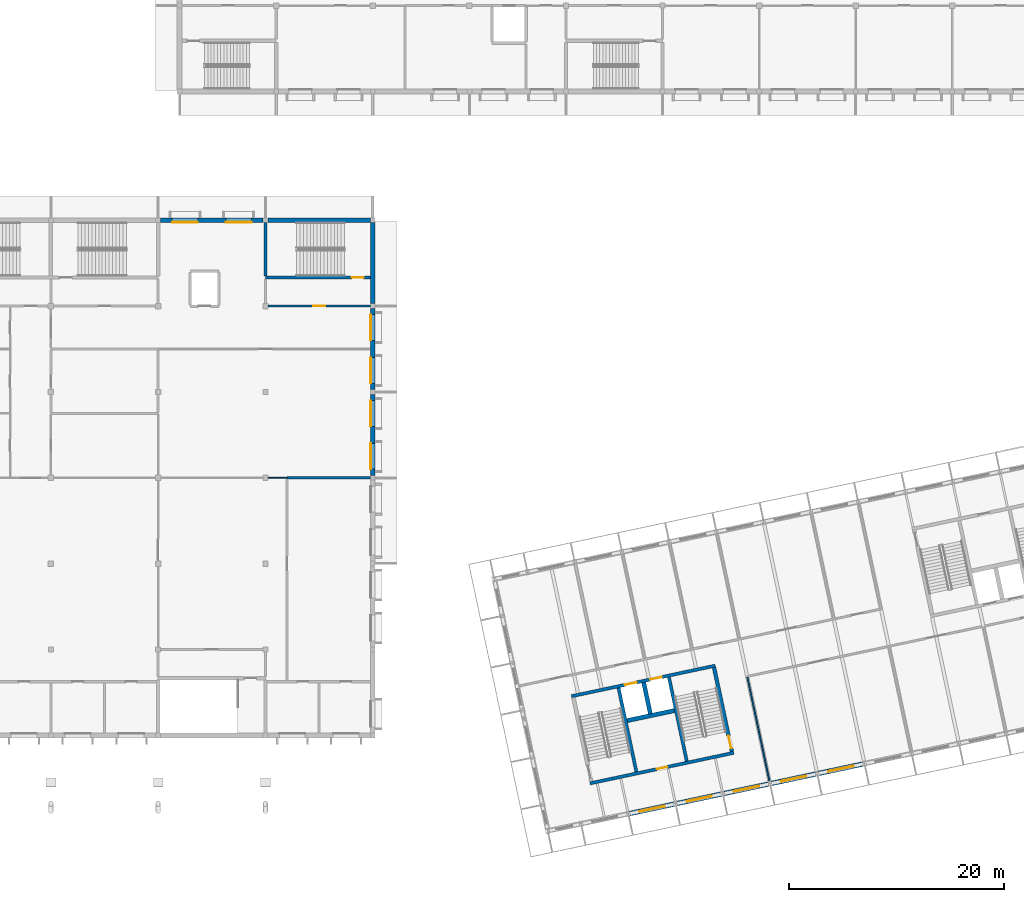
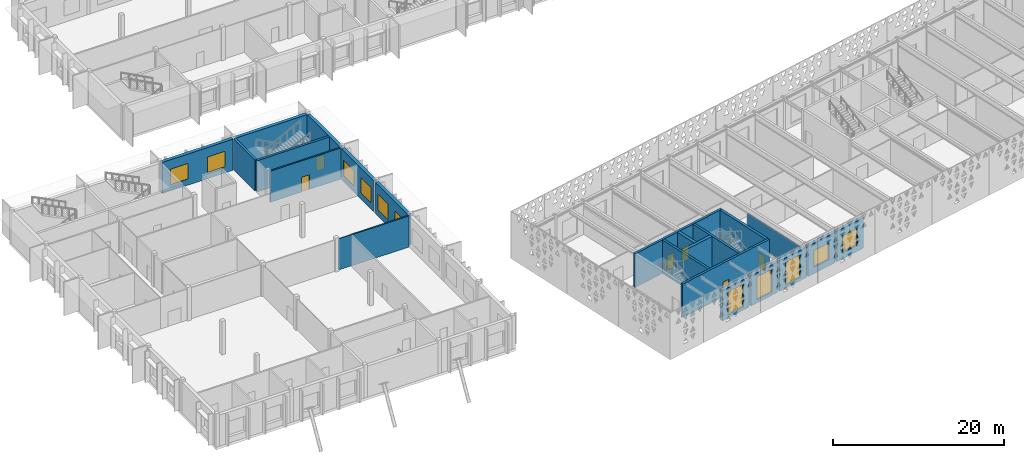
# One storey, part 122 of 182: 23 walls, 11 windows, 6 doors, 17 openings.
"""IFC4 building model written with IfcOpenShell, lengths in metres."""

from ifc_helpers import new_model, si_unit, direction, frame, frame_2d, origin, place, context, subcontext, project, spatial, rectangle, extrude, material, layer, layer_set, type_object, element, fill, save


model = new_model("IFC4")

# Units and contexts
model_context = context("Model", 3, precision=1e-05, world=origin(), true_north=direction((0.0, 1.0)))
body_context = subcontext(model_context, "Body", "Model", "MODEL_VIEW")
ifc_project = project(units=[si_unit("LENGTHUNIT", "METRE"), si_unit("AREAUNIT", "SQUARE_METRE"), si_unit("VOLUMEUNIT", "CUBIC_METRE"), si_unit("PLANEANGLEUNIT", "RADIAN"), si_unit("MASSUNIT", "GRAM", prefix="KILO")], contexts=[model_context])

# Site, building, storey
site_placement = place(None, origin())
site = spatial("IfcSite", under=ifc_project, at=site_placement, CompositionType="ELEMENT")
building_placement = place(site_placement, origin())
building = spatial("IfcBuilding", under=site, at=building_placement, Name="Okhra Congress Centre", CompositionType="ELEMENT")
storey_placement = place(building_placement, frame((0.0, 0.0, 7.199951171875)))
storey = spatial("IfcBuildingStorey", under=building, at=storey_placement, Name="L01", CompositionType="ELEMENT", Elevation=7.199951171875)

# Wall
ifc_material_1 = material(Name="Double gypsum board on steel studs with mineral wool", Category="steel")
ifc_layer_1 = layer(ifc_material_1, 0.199951171875)
ifc_layer_set_1 = layer_set([ifc_layer_1], Name="Acoustic partition 200 EI 15")
wall_type_1 = type_object("IfcWallType", Name="Acoustic partition 200 EI 15", PredefinedType="PARTITIONING", material=ifc_layer_set_1)
wall_1_placement = place(storey_placement, frame((38.0, 60.0, 0.0), z_axis=(0.0, 0.0, 1.0), x_axis=(1.0, 0.0, 0.0)))
element("IfcWall", 1, at=wall_1_placement, inside=storey, type_object=wall_type_1, Name="RS.WALL.L01.14", PredefinedType="PARTITIONING", context=body_context, shape_type="SweptSolid", body=[
    extrude(rectangle(XDim=7.77490234375, YDim=0.199951171875, at=frame_2d((3.887451171875, 0.0))), origin(), (0.0, 0.0, 1.0), 4.449951171875),
])

# Wall, openings, windows
ifc_material_2 = material(Name="Insulated metal panel on steel stud (mineral wool, vapour barrier)", Category="steel")
ifc_layer_2 = layer(ifc_material_2, 0.449951171875)
ifc_layer_set_2 = layer_set([ifc_layer_2], Name="Insulated wall 450")
wall_type_2 = type_object("IfcWallType", Name="Insulated wall 450", PredefinedType="SOLIDWALL", material=ifc_layer_set_2)
wall_2_placement = place(storey_placement, frame((35.77490234375, 84.0, 0.0), z_axis=(0.0, 0.0, 1.0), x_axis=(-1.0, 0.0, 0.0)))
wall_2 = element("IfcWall", 2, at=wall_2_placement, inside=storey, type_object=wall_type_2, Name="RS.WALL.L01.29", PredefinedType="SOLIDWALL", context=body_context, shape_type="SweptSolid", body=[
    extrude(rectangle(XDim=9.5498046875, YDim=0.449951171875, at=frame_2d((4.77490234375, 0.0))), origin(), (0.0, 0.0, 1.0), 4.449951171875),
])
opening_1_placement = place(wall_2_placement, frame((6.074951171875, 0.0, 0.89990234375)))
opening_1 = element("IfcOpeningElement", 3, at=opening_1_placement, cuts=wall_2, Name="Opening WN17", PredefinedType="OPENING", context=body_context, shape_type="SweptSolid", body=[
    extrude(rectangle(XDim=2.39990234375, YDim=2.199951171875, at=frame_2d((1.199951171875, 1.10009765625))), frame((0.0, 0.23486328125, 0.0), z_axis=(0.0, -1.0, 0.0), x_axis=(1.0, 0.0, 0.0)), (0.0, 0.0, 1.0), 0.469970703125),
])
opening_2_placement = place(wall_2_placement, frame((1.074951171875, 0.0, 0.89990234375)))
opening_2 = element("IfcOpeningElement", 4, at=opening_2_placement, cuts=wall_2, Name="Opening WN17", PredefinedType="OPENING", context=body_context, shape_type="SweptSolid", body=[
    extrude(rectangle(XDim=2.39990234375, YDim=2.199951171875, at=frame_2d((1.199951171875, 1.10009765625))), frame((0.0, 0.23486328125, 0.0), z_axis=(0.0, -1.0, 0.0), x_axis=(1.0, 0.0, 0.0)), (0.0, 0.0, 1.0), 0.469970703125),
])
ifc_material_3 = material(Name="Thermally broken aluminium frame, triple glazing", Category="aluminium")
window_type_1 = type_object("IfcWindowType", Name="Tilt-and-turn window 2400x2200", PartitioningType="SINGLE_PANEL", PredefinedType="WINDOW", material=ifc_material_3)
window_1_placement = place(opening_1_placement, origin())
window_1 = element("IfcWindow", 5, at=window_1_placement, inside=storey, type_object=window_type_1, Name="RS.WIN.L01.7", OverallHeight=2.199951171875, OverallWidth=2.39990234375, PartitioningType="SINGLE_PANEL", PredefinedType="WINDOW", context=body_context, shape_type="SweptSolid", body=[
    extrude(rectangle(XDim=2.39990234375, YDim=2.199951171875, at=frame_2d((1.199951171875, 1.10009765625))), frame((0.0, 0.215087890625, 0.0), z_axis=(0.0, -1.0, 0.0), x_axis=(1.0, 0.0, 0.0)), (0.0, 0.0, 1.0), 0.06005859375),
])
fill(opening_1, window_1)
window_2_placement = place(opening_2_placement, origin())
window_2 = element("IfcWindow", 6, at=window_2_placement, inside=storey, type_object=window_type_1, Name="RS.WIN.L01.8", OverallHeight=2.199951171875, OverallWidth=2.39990234375, PartitioningType="SINGLE_PANEL", PredefinedType="WINDOW", context=body_context, shape_type="SweptSolid", body=[
    extrude(rectangle(XDim=2.39990234375, YDim=2.199951171875, at=frame_2d((1.199951171875, 1.10009765625))), frame((0.0, 0.215087890625, 0.0), z_axis=(0.0, -1.0, 0.0), x_axis=(1.0, 0.0, 0.0)), (0.0, 0.0, 1.0), 0.06005859375),
])
fill(opening_2, window_2)

wall_3_placement = place(storey_placement, frame((46.0, 60.22509765625, 0.0), z_axis=(0.0, 0.0, 1.0), x_axis=(0.0, 1.0, 0.0)))
wall_3 = element("IfcWall", 7, at=wall_3_placement, inside=storey, type_object=wall_type_2, Name="RS.WALL.L01.67", PredefinedType="SOLIDWALL", context=body_context, shape_type="SweptSolid", body=[
    extrude(rectangle(XDim=7.5498046875, YDim=0.449951171875, at=frame_2d((3.77490234375, 0.0))), origin(), (0.0, 0.0, 1.0), 4.449951171875),
])
opening_3_placement = place(wall_3_placement, frame((0.574951171875, 0.0, 0.89990234375)))
opening_3 = element("IfcOpeningElement", 8, at=opening_3_placement, cuts=wall_3, Name="Opening WN17", PredefinedType="OPENING", context=body_context, shape_type="SweptSolid", body=[
    extrude(rectangle(XDim=2.39990234375, YDim=2.199951171875, at=frame_2d((1.199951171875, 1.10009765625))), frame((0.0, 0.23486328125, 0.0), z_axis=(0.0, -1.0, 0.0), x_axis=(1.0, 0.0, 0.0)), (0.0, 0.0, 1.0), 0.469970703125),
])
opening_4_placement = place(wall_3_placement, frame((4.574951171875, 0.0, 0.89990234375)))
opening_4 = element("IfcOpeningElement", 9, at=opening_4_placement, cuts=wall_3, Name="Opening WN17", PredefinedType="OPENING", context=body_context, shape_type="SweptSolid", body=[
    extrude(rectangle(XDim=2.39990234375, YDim=2.199951171875, at=frame_2d((1.199951171875, 1.10009765625))), frame((0.0, 0.23486328125, 0.0), z_axis=(0.0, -1.0, 0.0), x_axis=(1.0, 0.0, 0.0)), (0.0, 0.0, 1.0), 0.469970703125),
])
window_3_placement = place(opening_3_placement, origin())
window_3 = element("IfcWindow", 10, at=window_3_placement, inside=storey, type_object=window_type_1, Name="RS.WIN.L01.22", OverallHeight=2.199951171875, OverallWidth=2.39990234375, PartitioningType="SINGLE_PANEL", PredefinedType="WINDOW", context=body_context, shape_type="SweptSolid", body=[
    extrude(rectangle(XDim=2.39990234375, YDim=2.199951171875, at=frame_2d((1.199951171875, 1.10009765625))), frame((0.0, 0.215087890625, 0.0), z_axis=(0.0, -1.0, 0.0), x_axis=(1.0, 0.0, 0.0)), (0.0, 0.0, 1.0), 0.06005859375),
])
fill(opening_3, window_3)
window_4_placement = place(opening_4_placement, origin())
window_4 = element("IfcWindow", 11, at=window_4_placement, inside=storey, type_object=window_type_1, Name="RS.WIN.L01.23", OverallHeight=2.199951171875, OverallWidth=2.39990234375, PartitioningType="SINGLE_PANEL", PredefinedType="WINDOW", context=body_context, shape_type="SweptSolid", body=[
    extrude(rectangle(XDim=2.39990234375, YDim=2.199951171875, at=frame_2d((1.199951171875, 1.10009765625))), frame((0.0, 0.215087890625, 0.0), z_axis=(0.0, -1.0, 0.0), x_axis=(1.0, 0.0, 0.0)), (0.0, 0.0, 1.0), 0.06005859375),
])
fill(opening_4, window_4)

wall_4_placement = place(storey_placement, frame((46.0, 68.22509765625, 0.0), z_axis=(0.0, 0.0, 1.0), x_axis=(0.0, 1.0, 0.0)))
wall_4 = element("IfcWall", 12, at=wall_4_placement, inside=storey, type_object=wall_type_2, Name="RS.WALL.L01.68", PredefinedType="SOLIDWALL", context=body_context, shape_type="SweptSolid", body=[
    extrude(rectangle(XDim=7.5498046875, YDim=0.449951171875, at=frame_2d((3.77490234375, 0.0))), origin(), (0.0, 0.0, 1.0), 4.449951171875),
])
opening_5_placement = place(wall_4_placement, frame((0.574951171875, 0.0, 0.89990234375)))
opening_5 = element("IfcOpeningElement", 13, at=opening_5_placement, cuts=wall_4, Name="Opening WN17", PredefinedType="OPENING", context=body_context, shape_type="SweptSolid", body=[
    extrude(rectangle(XDim=2.39990234375, YDim=2.199951171875, at=frame_2d((1.199951171875, 1.10009765625))), frame((0.0, 0.23486328125, 0.0), z_axis=(0.0, -1.0, 0.0), x_axis=(1.0, 0.0, 0.0)), (0.0, 0.0, 1.0), 0.469970703125),
])
opening_6_placement = place(wall_4_placement, frame((4.574951171875, 0.0, 0.89990234375)))
opening_6 = element("IfcOpeningElement", 14, at=opening_6_placement, cuts=wall_4, Name="Opening WN17", PredefinedType="OPENING", context=body_context, shape_type="SweptSolid", body=[
    extrude(rectangle(XDim=2.39990234375, YDim=2.199951171875, at=frame_2d((1.199951171875, 1.10009765625))), frame((0.0, 0.23486328125, 0.0), z_axis=(0.0, -1.0, 0.0), x_axis=(1.0, 0.0, 0.0)), (0.0, 0.0, 1.0), 0.469970703125),
])
window_5_placement = place(opening_5_placement, origin())
window_5 = element("IfcWindow", 15, at=window_5_placement, inside=storey, type_object=window_type_1, Name="RS.WIN.L01.24", OverallHeight=2.199951171875, OverallWidth=2.39990234375, PartitioningType="SINGLE_PANEL", PredefinedType="WINDOW", context=body_context, shape_type="SweptSolid", body=[
    extrude(rectangle(XDim=2.39990234375, YDim=2.199951171875, at=frame_2d((1.199951171875, 1.10009765625))), frame((0.0, 0.215087890625, 0.0), z_axis=(0.0, -1.0, 0.0), x_axis=(1.0, 0.0, 0.0)), (0.0, 0.0, 1.0), 0.06005859375),
])
fill(opening_5, window_5)
window_6_placement = place(opening_6_placement, origin())
window_6 = element("IfcWindow", 16, at=window_6_placement, inside=storey, type_object=window_type_1, Name="RS.WIN.L01.25", OverallHeight=2.199951171875, OverallWidth=2.39990234375, PartitioningType="SINGLE_PANEL", PredefinedType="WINDOW", context=body_context, shape_type="SweptSolid", body=[
    extrude(rectangle(XDim=2.39990234375, YDim=2.199951171875, at=frame_2d((1.199951171875, 1.10009765625))), frame((0.0, 0.215087890625, 0.0), z_axis=(0.0, -1.0, 0.0), x_axis=(1.0, 0.0, 0.0)), (0.0, 0.0, 1.0), 0.06005859375),
])
fill(opening_6, window_6)

# Wall, opening, window
wall_5_placement = place(storey_placement, frame((69.9609375, 28.711669921875, 0.0), z_axis=(0.0, 0.0, 1.0), x_axis=(0.978146440129, 0.207917150959, 0.0)))
wall_5 = element("IfcWall", 17, at=wall_5_placement, inside=storey, type_object=wall_type_2, Name="External wall S3 L01", PredefinedType="SOLIDWALL", context=body_context, shape_type="SweptSolid", body=[
    extrude(rectangle(XDim=4.2001953125, YDim=0.449951171875, at=frame_2d((2.10009765625, 0.0))), origin(), (0.0, 0.0, 1.0), 4.35009765625),
])
opening_7_placement = place(wall_5_placement, frame((0.89990234375, 0.0, 0.449951171875)))
opening_7 = element("IfcOpeningElement", 18, at=opening_7_placement, cuts=wall_5, Name="Opening WN21", PredefinedType="OPENING", context=body_context, shape_type="SweptSolid", body=[
    extrude(rectangle(XDim=2.39990234375, YDim=3.300048828125, at=frame_2d((1.199951171875, 1.64990234375))), frame((0.0, 0.23486328125, 0.0), z_axis=(0.0, -1.0, 0.0), x_axis=(1.0, 0.0, 0.0)), (0.0, 0.0, 1.0), 0.469970703125),
])
window_type_2 = type_object("IfcWindowType", Name="Two-light window 2400x3300", PartitioningType="DOUBLE_PANEL_VERTICAL", PredefinedType="WINDOW", material=ifc_material_3)
window_7_placement = place(opening_7_placement, origin())
window_7 = element("IfcWindow", 19, at=window_7_placement, inside=storey, type_object=window_type_2, Name="BX.WIN.L01.3", OverallHeight=3.300048828125, OverallWidth=2.39990234375, PartitioningType="DOUBLE_PANEL_VERTICAL", PredefinedType="WINDOW", context=body_context, shape_type="SweptSolid", body=[
    extrude(rectangle(XDim=2.39990234375, YDim=3.300048828125, at=frame_2d((1.199951171875, 1.64990234375))), frame((0.0, 0.030029296875, 0.0), z_axis=(0.0, -1.0, 0.0), x_axis=(1.0, 0.0, 0.0)), (0.0, 0.0, 1.0), 0.06005859375),
])
fill(opening_7, window_7)

wall_6_placement = place(storey_placement, frame((74.36279296875, 29.647216796875, 0.0), z_axis=(0.0, 0.0, 1.0), x_axis=(0.978143927149, 0.207928972925, 0.0)))
wall_6 = element("IfcWall", 20, at=wall_6_placement, inside=storey, type_object=wall_type_2, Name="External wall S4 L01", PredefinedType="SOLIDWALL", context=body_context, shape_type="SweptSolid", body=[
    extrude(rectangle(XDim=4.199951171875, YDim=0.449951171875, at=frame_2d((2.10009765625, 0.0))), origin(), (0.0, 0.0, 1.0), 4.35009765625),
])
opening_8_placement = place(wall_6_placement, frame((0.89990234375, 0.0, 0.449951171875)))
opening_8 = element("IfcOpeningElement", 21, at=opening_8_placement, cuts=wall_6, Name="Opening WN21", PredefinedType="OPENING", context=body_context, shape_type="SweptSolid", body=[
    extrude(rectangle(XDim=2.39990234375, YDim=3.300048828125, at=frame_2d((1.199951171875, 1.64990234375))), frame((0.0, 0.23486328125, 0.0), z_axis=(0.0, -1.0, 0.0), x_axis=(1.0, 0.0, 0.0)), (0.0, 0.0, 1.0), 0.469970703125),
])
window_8_placement = place(opening_8_placement, origin())
window_8 = element("IfcWindow", 22, at=window_8_placement, inside=storey, type_object=window_type_2, Name="BX.WIN.L01.4", OverallHeight=3.300048828125, OverallWidth=2.39990234375, PartitioningType="DOUBLE_PANEL_VERTICAL", PredefinedType="WINDOW", context=body_context, shape_type="SweptSolid", body=[
    extrude(rectangle(XDim=2.39990234375, YDim=3.300048828125, at=frame_2d((1.199951171875, 1.64990234375))), frame((0.0, 0.030029296875, 0.0), z_axis=(0.0, -1.0, 0.0), x_axis=(1.0, 0.0, 0.0)), (0.0, 0.0, 1.0), 0.06005859375),
])
fill(opening_8, window_8)

wall_7_placement = place(storey_placement, frame((78.764404296875, 30.582763671875, 0.0), z_axis=(0.0, 0.0, 1.0), x_axis=(0.978143927149, 0.207928972925, 0.0)))
wall_7 = element("IfcWall", 23, at=wall_7_placement, inside=storey, type_object=wall_type_2, Name="External wall S5 L01", PredefinedType="SOLIDWALL", context=body_context, shape_type="SweptSolid", body=[
    extrude(rectangle(XDim=4.199951171875, YDim=0.449951171875, at=frame_2d((2.10009765625, 0.0))), origin(), (0.0, 0.0, 1.0), 4.35009765625),
])
opening_9_placement = place(wall_7_placement, frame((0.89990234375, 0.0, 0.449951171875)))
opening_9 = element("IfcOpeningElement", 24, at=opening_9_placement, cuts=wall_7, Name="Opening WN21", PredefinedType="OPENING", context=body_context, shape_type="SweptSolid", body=[
    extrude(rectangle(XDim=2.39990234375, YDim=3.300048828125, at=frame_2d((1.199951171875, 1.64990234375))), frame((0.0, 0.23486328125, 0.0), z_axis=(0.0, -1.0, 0.0), x_axis=(1.0, 0.0, 0.0)), (0.0, 0.0, 1.0), 0.469970703125),
])
window_9_placement = place(opening_9_placement, origin())
window_9 = element("IfcWindow", 25, at=window_9_placement, inside=storey, type_object=window_type_2, Name="BX.WIN.L01.5", OverallHeight=3.300048828125, OverallWidth=2.39990234375, PartitioningType="DOUBLE_PANEL_VERTICAL", PredefinedType="WINDOW", context=body_context, shape_type="SweptSolid", body=[
    extrude(rectangle(XDim=2.39990234375, YDim=3.300048828125, at=frame_2d((1.199951171875, 1.64990234375))), frame((0.0, 0.030029296875, 0.0), z_axis=(0.0, -1.0, 0.0), x_axis=(1.0, 0.0, 0.0)), (0.0, 0.0, 1.0), 0.06005859375),
])
fill(opening_9, window_9)

wall_8_placement = place(storey_placement, frame((83.166015625, 31.5185546875, 0.0), z_axis=(0.0, 0.0, 1.0), x_axis=(0.978155748334, 0.207873355681, 0.0)))
wall_8 = element("IfcWall", 26, at=wall_8_placement, inside=storey, type_object=wall_type_2, Name="External wall S6 L01", PredefinedType="SOLIDWALL", context=body_context, shape_type="SweptSolid", body=[
    extrude(rectangle(XDim=4.199951171875, YDim=0.449951171875, at=frame_2d((2.10009765625, 0.0))), origin(), (0.0, 0.0, 1.0), 4.35009765625),
])
opening_10_placement = place(wall_8_placement, frame((0.89990234375, 0.0, 0.89990234375)))
opening_10 = element("IfcOpeningElement", 27, at=opening_10_placement, cuts=wall_8, Name="Opening WN22", PredefinedType="OPENING", context=body_context, shape_type="SweptSolid", body=[
    extrude(rectangle(XDim=2.39990234375, YDim=2.39990234375, at=frame_2d((1.199951171875, 1.199951171875))), frame((0.0, 0.23486328125, 0.0), z_axis=(0.0, -1.0, 0.0), x_axis=(1.0, 0.0, 0.0)), (0.0, 0.0, 1.0), 0.469970703125),
])
window_type_3 = type_object("IfcWindowType", Name="Fixed window 2400x2400", PartitioningType="SINGLE_PANEL", PredefinedType="WINDOW", material=ifc_material_3)
window_10_placement = place(opening_10_placement, origin())
window_10 = element("IfcWindow", 28, at=window_10_placement, inside=storey, type_object=window_type_3, Name="BX.WIN.L01.6", OverallHeight=2.39990234375, OverallWidth=2.39990234375, PartitioningType="SINGLE_PANEL", PredefinedType="WINDOW", context=body_context, shape_type="SweptSolid", body=[
    extrude(rectangle(XDim=2.39990234375, YDim=2.39990234375, at=frame_2d((1.199951171875, 1.199951171875))), frame((0.0, 0.030029296875, 0.0), z_axis=(0.0, -1.0, 0.0), x_axis=(1.0, 0.0, 0.0)), (0.0, 0.0, 1.0), 0.06005859375),
])
fill(opening_10, window_10)

wall_9_placement = place(storey_placement, frame((87.567626953125, 32.4541015625, 0.0), z_axis=(0.0, 0.0, 1.0), x_axis=(0.97815826, 0.207861536591, 0.0)))
wall_9 = element("IfcWall", 29, at=wall_9_placement, inside=storey, type_object=wall_type_2, Name="External wall S7 L01", PredefinedType="SOLIDWALL", context=body_context, shape_type="SweptSolid", body=[
    extrude(rectangle(XDim=4.2001953125, YDim=0.449951171875, at=frame_2d((2.10009765625, 0.0))), origin(), (0.0, 0.0, 1.0), 4.35009765625),
])
opening_11_placement = place(wall_9_placement, frame((0.89990234375, 0.0, 0.89990234375)))
opening_11 = element("IfcOpeningElement", 30, at=opening_11_placement, cuts=wall_9, Name="Opening WN22", PredefinedType="OPENING", context=body_context, shape_type="SweptSolid", body=[
    extrude(rectangle(XDim=2.39990234375, YDim=2.39990234375, at=frame_2d((1.199951171875, 1.199951171875))), frame((0.0, 0.23486328125, 0.0), z_axis=(0.0, -1.0, 0.0), x_axis=(1.0, 0.0, 0.0)), (0.0, 0.0, 1.0), 0.469970703125),
])
window_11_placement = place(opening_11_placement, origin())
window_11 = element("IfcWindow", 31, at=window_11_placement, inside=storey, type_object=window_type_3, Name="BX.WIN.L01.7", OverallHeight=2.39990234375, OverallWidth=2.39990234375, PartitioningType="SINGLE_PANEL", PredefinedType="WINDOW", context=body_context, shape_type="SweptSolid", body=[
    extrude(rectangle(XDim=2.39990234375, YDim=2.39990234375, at=frame_2d((1.199951171875, 1.199951171875))), frame((0.0, 0.030029296875, 0.0), z_axis=(0.0, -1.0, 0.0), x_axis=(1.0, 0.0, 0.0)), (0.0, 0.0, 1.0), 0.06005859375),
])
fill(opening_11, window_11)

# Wall, opening, door
ifc_material_4 = material(Name="Masonry blockwork (aerated concrete D500)", Category="masonry")
ifc_layer_3 = layer(ifc_material_4, 0.199951171875)
ifc_layer_set_3 = layer_set([ifc_layer_3], Name="Masonry block wall 200 EI 45")
wall_type_3 = type_object("IfcWallType", Name="Masonry block wall 200 EI 45", PredefinedType="SOLIDWALL", material=ifc_layer_set_3)
wall_10_placement = place(storey_placement, frame((36.25, 76.0, 0.0), z_axis=(0.0, 0.0, 1.0), x_axis=(1.0, 0.0, 0.0)))
wall_10 = element("IfcWall", 32, at=wall_10_placement, inside=storey, type_object=wall_type_3, Name="RS.WALL.L01.23", PredefinedType="SOLIDWALL", context=body_context, shape_type="SweptSolid", body=[
    extrude(rectangle(XDim=9.52490234375, YDim=0.199951171875, at=frame_2d((4.762451171875, 0.0))), origin(), (0.0, 0.0, 1.0), 4.449951171875),
])
opening_12_placement = place(wall_10_placement, frame((4.199951171875, 0.0, 0.0)))
opening_12 = element("IfcOpeningElement", 33, at=opening_12_placement, cuts=wall_10, Name="Opening L01-056", PredefinedType="OPENING", context=body_context, shape_type="SweptSolid", body=[
    extrude(rectangle(XDim=1.10009765625, YDim=2.10009765625, at=frame_2d((0.550048828125, 1.050048828125))), frame((0.0, 0.10986328125, 0.0), z_axis=(0.0, -1.0, 0.0), x_axis=(1.0, 0.0, 0.0)), (0.0, 0.0, 1.0), 0.219970703125),
])
ifc_material_5 = material(Name="Steel fire door leaf in steel frame, intumescent seals", Category="steel")
door_type_1 = type_object("IfcDoorType", Name="Steel fire door 1100x2100 EI 30", OperationType="NOTDEFINED", PredefinedType="DOOR", material=ifc_material_5)
door_1_placement = place(opening_12_placement, origin())
door_1 = element("IfcDoor", 34, at=door_1_placement, inside=storey, type_object=door_type_1, Name="Door L01-056", OperationType="SINGLE_SWING_LEFT", OverallHeight=2.10009765625, OverallWidth=1.10009765625, PredefinedType="DOOR", context=body_context, shape_type="SweptSolid", body=[
    extrude(rectangle(XDim=1.10009765625, YDim=2.10009765625, at=frame_2d((0.550048828125, 1.050048828125))), frame((0.0, 0.02490234375, 0.0), z_axis=(0.0, -1.0, 0.0), x_axis=(1.0, 0.0, 0.0)), (0.0, 0.0, 1.0), 0.050048828125),
])
fill(opening_12, door_1)

# Walls
ifc_material_6 = material(Name="Gypsum board on steel studs", Category="steel")
ifc_layer_4 = layer(ifc_material_6, 0.10009765625)
ifc_layer_set_4 = layer_set([ifc_layer_4], Name="Partition 100 EI 15")
wall_type_4 = type_object("IfcWallType", Name="Partition 100 EI 15", PredefinedType="PARTITIONING", material=ifc_layer_set_4)
wall_11_placement = place(storey_placement, frame((36.25, 60.0, 0.0), z_axis=(0.0, 0.0, 1.0), x_axis=(1.0, 0.0, 0.0)))
element("IfcWall", 35, at=wall_11_placement, inside=storey, type_object=wall_type_4, Name="RS.WALL.L01.13", PredefinedType="PARTITIONING", context=body_context, shape_type="SweptSolid", body=[
    extrude(rectangle(XDim=1.75, YDim=0.10009765625, at=frame_2d((0.875, 0.0))), origin(), (0.0, 0.0, 1.0), 4.449951171875),
])
ifc_layer_5 = layer(ifc_material_6, 0.125)
ifc_layer_set_5 = layer_set([ifc_layer_5], Name="Partition 125")
wall_type_5 = type_object("IfcWallType", Name="Partition 125", PredefinedType="PARTITIONING", material=ifc_layer_set_5)
wall_12_placement = place(storey_placement, frame((82.972412109375, 31.707275390625, 0.0), z_axis=(0.0, 0.0, 1.0), x_axis=(-0.207904355568, 0.978149159861, 0.0)))
element("IfcWall", 36, at=wall_12_placement, inside=storey, type_object=wall_type_5, Name="Partition S L01", PredefinedType="PARTITIONING", context=body_context, shape_type="SweptSolid", body=[
    extrude(rectangle(XDim=9.925048828125, YDim=0.125, at=frame_2d((4.96240234375, 0.0))), origin(), (0.0, 0.0, 1.0), 3.75),
])

# Wall, opening, door
ifc_material_7 = material(Name="Concrete C35/45", Category="concrete")
ifc_layer_6 = layer(ifc_material_7, 0.300048828125)
ifc_layer_set_6 = layer_set([ifc_layer_6], Name="RC core wall 300 REI 120 C35/45")
wall_type_6 = type_object("IfcWallType", Name="RC core wall 300 REI 120 C35/45", PredefinedType="SHEAR", material=ifc_layer_set_6)
wall_13_placement = place(storey_placement, frame((66.244873046875, 31.525390625, 0.0), z_axis=(0.0, 0.0, 1.0), x_axis=(0.978147662755, 0.20791139903, 0.0)))
wall_13 = element("IfcWall", 37, at=wall_13_placement, inside=storey, type_object=wall_type_6, Name="BX.WALL.L01.K1S", PredefinedType="SHEAR", context=body_context, shape_type="SweptSolid", body=[
    extrude(rectangle(XDim=13.699951171875, YDim=0.300048828125, at=frame_2d((6.85009765625, 0.0))), origin(), (0.0, 0.0, 1.0), 4.800048828125),
])
opening_13_placement = place(wall_13_placement, frame((6.35009765625, 0.0, 0.0)))
opening_13 = element("IfcOpeningElement", 38, at=opening_13_placement, cuts=wall_13, Name="Opening L01-101", PredefinedType="OPENING", context=body_context, shape_type="SweptSolid", body=[
    extrude(rectangle(XDim=1.0, YDim=2.10009765625, at=frame_2d((0.5, 1.050048828125))), frame((0.0, 0.159912109375, 0.0), z_axis=(0.0, -1.0, 0.0), x_axis=(1.0, 0.0, 0.0)), (0.0, 0.0, 1.0), 0.320068359375),
])
door_type_2 = type_object("IfcDoorType", Name="Steel fire door 1000x2100 EI 30", OperationType="NOTDEFINED", PredefinedType="DOOR", material=ifc_material_5)
door_2_placement = place(opening_13_placement, origin())
door_2 = element("IfcDoor", 39, at=door_2_placement, inside=storey, type_object=door_type_2, Name="Door L01-101", OperationType="SINGLE_SWING_RIGHT", OverallHeight=2.10009765625, OverallWidth=1.0, PredefinedType="DOOR", context=body_context, shape_type="SweptSolid", body=[
    extrude(rectangle(XDim=1.0, YDim=2.10009765625, at=frame_2d((0.5, 1.050048828125))), frame((0.0, 0.02490234375, 0.0), z_axis=(0.0, -1.0, 0.0), x_axis=(1.0, 0.0, 0.0)), (0.0, 0.0, 1.0), 0.050048828125),
])
fill(opening_13, door_2)

# Wall, openings, doors
wall_14_placement = place(storey_placement, frame((64.51904296875, 39.64404296875, 0.0), z_axis=(0.0, 0.0, 1.0), x_axis=(0.978147662755, 0.20791139903, 0.0)))
wall_14 = element("IfcWall", 40, at=wall_14_placement, inside=storey, type_object=wall_type_6, Name="BX.WALL.L01.K1T", PredefinedType="SHEAR", context=body_context, shape_type="SweptSolid", body=[
    extrude(rectangle(XDim=13.699951171875, YDim=0.300048828125, at=frame_2d((6.85009765625, 0.0))), origin(), (0.0, 0.0, 1.0), 4.800048828125),
])
opening_14_placement = place(wall_14_placement, frame((5.10009765625, 0.0, 0.0)))
opening_14 = element("IfcOpeningElement", 41, at=opening_14_placement, cuts=wall_14, Name="Opening L01-097", PredefinedType="OPENING", context=body_context, shape_type="SweptSolid", body=[
    extrude(rectangle(XDim=1.10009765625, YDim=2.10009765625, at=frame_2d((0.550048828125, 1.050048828125))), frame((0.0, 0.159912109375, 0.0), z_axis=(0.0, -1.0, 0.0), x_axis=(1.0, 0.0, 0.0)), (0.0, 0.0, 1.0), 0.320068359375),
])
opening_15_placement = place(wall_14_placement, frame((7.5, 0.0, 0.0)))
opening_15 = element("IfcOpeningElement", 42, at=opening_15_placement, cuts=wall_14, Name="Opening L01-098", PredefinedType="OPENING", context=body_context, shape_type="SweptSolid", body=[
    extrude(rectangle(XDim=1.10009765625, YDim=2.10009765625, at=frame_2d((0.550048828125, 1.050048828125))), frame((0.0, 0.159912109375, 0.0), z_axis=(0.0, -1.0, 0.0), x_axis=(1.0, 0.0, 0.0)), (0.0, 0.0, 1.0), 0.320068359375),
])
ifc_material_8 = material(Name="Stainless steel sliding landing door leaves", Category="steel")
door_type_3 = type_object("IfcDoorType", Name="Lift landing door 1100x2100 EI 30", OperationType="DOUBLE_DOOR_SLIDING", PredefinedType="DOOR", material=ifc_material_8)
door_3_placement = place(opening_14_placement, origin())
door_3 = element("IfcDoor", 43, at=door_3_placement, inside=storey, type_object=door_type_3, Name="Door L01-097", OperationType="DOUBLE_DOOR_SLIDING", OverallHeight=2.10009765625, OverallWidth=1.10009765625, PredefinedType="DOOR", context=body_context, shape_type="SweptSolid", body=[
    extrude(rectangle(XDim=1.10009765625, YDim=2.10009765625, at=frame_2d((0.550048828125, 1.050048828125))), frame((0.0, 0.02490234375, 0.0), z_axis=(0.0, -1.0, 0.0), x_axis=(1.0, 0.0, 0.0)), (0.0, 0.0, 1.0), 0.050048828125),
])
fill(opening_14, door_3)
door_4_placement = place(opening_15_placement, origin())
door_4 = element("IfcDoor", 44, at=door_4_placement, inside=storey, type_object=door_type_3, Name="Door L01-098", OperationType="DOUBLE_DOOR_SLIDING", OverallHeight=2.10009765625, OverallWidth=1.10009765625, PredefinedType="DOOR", context=body_context, shape_type="SweptSolid", body=[
    extrude(rectangle(XDim=1.10009765625, YDim=2.10009765625, at=frame_2d((0.550048828125, 1.050048828125))), frame((0.0, 0.02490234375, 0.0), z_axis=(0.0, -1.0, 0.0), x_axis=(1.0, 0.0, 0.0)), (0.0, 0.0, 1.0), 0.050048828125),
])
fill(opening_15, door_4)

# Walls
for number, where, z_axis, x_axis, name in (
    (45, (70.56640625, 32.597412109375, 0.0), (0.0, 0.0, 1.0), (-0.207915693476, 0.978146749934, 0.0), "BX.WALL.L01.K1P1"),
    (46, (75.261474609375, 33.595458984375, 0.0), (0.0, 0.0, 1.0), (-0.207915693476, 0.978146749934, 0.0), "BX.WALL.L01.K1P2"),
):
    element("IfcWall", number, at=place(storey_placement, frame(where, z_axis=z_axis, x_axis=x_axis)), inside=storey, type_object=wall_type_6, Name=name, PredefinedType="SHEAR", context=body_context, shape_type="SweptSolid", body=[
        extrude(rectangle(XDim=8.0, YDim=0.300048828125, at=frame_2d((4.0, 0.0))), origin(), (0.0, 0.0, 1.0), 4.800048828125),
    ])

# Wall, opening, door
wall_15_placement = place(storey_placement, frame((36.0, 78.675048828125, 0.0), z_axis=(0.0, 0.0, 1.0), x_axis=(1.0, 0.0, 0.0)))
wall_15 = element("IfcWall", 47, at=wall_15_placement, inside=storey, type_object=wall_type_6, Name="RS.WALL.L01.25", PredefinedType="SHEAR", context=body_context, shape_type="SweptSolid", body=[
    extrude(rectangle(XDim=9.77490234375, YDim=0.300048828125, at=frame_2d((4.887451171875, 0.0))), origin(), (0.0, 0.0, 1.0), 4.449951171875),
])
opening_16_placement = place(wall_15_placement, frame((8.050048828125, 0.0, 0.0)))
opening_16 = element("IfcOpeningElement", 48, at=opening_16_placement, cuts=wall_15, Name="Opening L01-057", PredefinedType="OPENING", context=body_context, shape_type="SweptSolid", body=[
    extrude(rectangle(XDim=1.10009765625, YDim=2.10009765625, at=frame_2d((0.550048828125, 1.050048828125))), frame((0.0, 0.159912109375, 0.0), z_axis=(0.0, -1.0, 0.0), x_axis=(1.0, 0.0, 0.0)), (0.0, 0.0, 1.0), 0.320068359375),
])
door_5_placement = place(opening_16_placement, origin())
door_5 = element("IfcDoor", 49, at=door_5_placement, inside=storey, type_object=door_type_1, Name="Door L01-057", OperationType="SINGLE_SWING_RIGHT", OverallHeight=2.10009765625, OverallWidth=1.10009765625, PredefinedType="DOOR", context=body_context, shape_type="SweptSolid", body=[
    extrude(rectangle(XDim=1.10009765625, YDim=2.10009765625, at=frame_2d((0.550048828125, 1.050048828125))), frame((0.0, 0.02490234375, 0.0), z_axis=(0.0, -1.0, 0.0), x_axis=(1.0, 0.0, 0.0)), (0.0, 0.0, 1.0), 0.050048828125),
])
fill(opening_16, door_5)

# Walls
wall_16_placement = place(storey_placement, frame((36.0, 78.824951171875, 0.0), z_axis=(0.0, 0.0, 1.0), x_axis=(0.0, 1.0, 0.0)))
element("IfcWall", 50, at=wall_16_placement, inside=storey, type_object=wall_type_6, Name="RS.WALL.L01.61", PredefinedType="SHEAR", context=body_context, shape_type="SweptSolid", body=[
    extrude(rectangle(XDim=4.949951171875, YDim=0.300048828125, at=frame_2d((2.47509765625, 0.0))), origin(), (0.0, 0.0, 1.0), 4.449951171875),
])
ifc_layer_7 = layer(ifc_material_7, 0.39990234375)
ifc_layer_set_7 = layer_set([ifc_layer_7], Name="RC core wall 400 REI 120 C35/45")
wall_type_7 = type_object("IfcWallType", Name="RC core wall 400 REI 120 C35/45", PredefinedType="SHEAR", material=ifc_layer_set_7)
wall_17_placement = place(storey_placement, frame((71.874267578125, 37.987060546875, 0.0), z_axis=(0.0, 0.0, 1.0), x_axis=(-0.20783929028, 0.978162987143, 0.0)))
element("IfcWall", 51, at=wall_17_placement, inside=storey, type_object=wall_type_7, Name="BX.WALL.L01.K1D", PredefinedType="SHEAR", context=body_context, shape_type="SweptSolid", body=[
    extrude(rectangle(XDim=3.0, YDim=0.39990234375, at=frame_2d((1.5, 0.0))), origin(), (0.0, 0.0, 1.0), 4.800048828125),
])
wall_18_placement = place(storey_placement, frame((69.704833984375, 37.37255859375, 0.0), z_axis=(0.0, 0.0, 1.0), x_axis=(0.978149611564, 0.20790223038, 0.0)))
element("IfcWall", 52, at=wall_18_placement, inside=storey, type_object=wall_type_7, Name="BX.WALL.L01.K1R", PredefinedType="SHEAR", context=body_context, shape_type="SweptSolid", body=[
    extrude(rectangle(XDim=4.5, YDim=0.39990234375, at=frame_2d((2.25, 0.0))), origin(), (0.0, 0.0, 1.0), 4.800048828125),
])
ifc_material_9 = material(Name="Concrete C30/37", Category="concrete")
ifc_layer_8 = layer(ifc_material_9, 0.449951171875)
ifc_layer_set_8 = layer_set([ifc_layer_8], Name="RC facade wall 450 REI 120 C30/37")
wall_type_8 = type_object("IfcWallType", Name="RC facade wall 450 REI 120 C30/37", PredefinedType="SOLIDWALL", material=ifc_layer_set_8)
wall_19_placement = place(storey_placement, frame((45.77490234375, 84.0, 0.0), z_axis=(0.0, 0.0, 1.0), x_axis=(-1.0, 0.0, 0.0)))
element("IfcWall", 53, at=wall_19_placement, inside=storey, type_object=wall_type_8, Name="RS.WALL.L01.30", PredefinedType="SOLIDWALL", context=body_context, shape_type="SweptSolid", body=[
    extrude(rectangle(XDim=9.5498046875, YDim=0.449951171875, at=frame_2d((4.77490234375, 0.0))), origin(), (0.0, 0.0, 1.0), 4.449951171875),
])
wall_20_placement = place(storey_placement, frame((46.0, 76.22509765625, 0.0), z_axis=(0.0, 0.0, 1.0), x_axis=(0.0, 1.0, 0.0)))
element("IfcWall", 54, at=wall_20_placement, inside=storey, type_object=wall_type_8, Name="RS.WALL.L01.69", PredefinedType="SOLIDWALL", context=body_context, shape_type="SweptSolid", body=[
    extrude(rectangle(XDim=7.5498046875, YDim=0.449951171875, at=frame_2d((3.77490234375, 0.0))), origin(), (0.0, 0.0, 1.0), 4.449951171875),
])

# Wall, opening, door
ifc_layer_9 = layer(ifc_material_9, 0.35009765625)
ifc_layer_set_9 = layer_set([ifc_layer_9], Name="RC wall 350 REI 120 C30/37")
wall_type_9 = type_object("IfcWallType", Name="RC wall 350 REI 120 C30/37", PredefinedType="SOLIDWALL", material=ifc_layer_set_9)
wall_21_placement = place(storey_placement, frame((79.467529296875, 34.489501953125, 0.0), z_axis=(0.0, 0.0, 1.0), x_axis=(-0.207915693476, 0.978146749934, 0.0)))
wall_21 = element("IfcWall", 55, at=wall_21_placement, inside=storey, type_object=wall_type_9, Name="BX.WALL.L01.K1E", PredefinedType="SOLIDWALL", context=body_context, shape_type="SweptSolid", body=[
    extrude(rectangle(XDim=8.0, YDim=0.35009765625, at=frame_2d((4.0, 0.0))), origin(), (0.0, 0.0, 1.0), 4.800048828125),
])
opening_17_placement = place(wall_21_placement, frame((0.300048828125, 0.0, 0.0)))
opening_17 = element("IfcOpeningElement", 56, at=opening_17_placement, cuts=wall_21, Name="Opening L01-100", PredefinedType="OPENING", context=body_context, shape_type="SweptSolid", body=[
    extrude(rectangle(XDim=1.199951171875, YDim=2.10009765625, at=frame_2d((0.60009765625, 1.050048828125))), frame((0.0, 0.18505859375, 0.0), z_axis=(0.0, -1.0, 0.0), x_axis=(1.0, 0.0, 0.0)), (0.0, 0.0, 1.0), 0.3701171875),
])
door_type_4 = type_object("IfcDoorType", Name="Steel fire door 1200x2100 EI 30", OperationType="NOTDEFINED", PredefinedType="DOOR", material=ifc_material_5)
door_6_placement = place(opening_17_placement, frame((1.199951171875, 0.0, 0.0), z_axis=(0.0, 0.0, 1.0), x_axis=(-1.0, 0.0, 0.0)))
door_6 = element("IfcDoor", 57, at=door_6_placement, inside=storey, type_object=door_type_4, Name="Door L01-100", OperationType="SINGLE_SWING_LEFT", OverallHeight=2.10009765625, OverallWidth=1.199951171875, PredefinedType="DOOR", context=body_context, shape_type="SweptSolid", body=[
    extrude(rectangle(XDim=1.199951171875, YDim=2.10009765625, at=frame_2d((0.60009765625, 1.050048828125))), frame((0.0, 0.02490234375, 0.0), z_axis=(0.0, -1.0, 0.0), x_axis=(1.0, 0.0, 0.0)), (0.0, 0.0, 1.0), 0.050048828125),
])
fill(opening_17, door_6)

save(model, "model.ifc")
